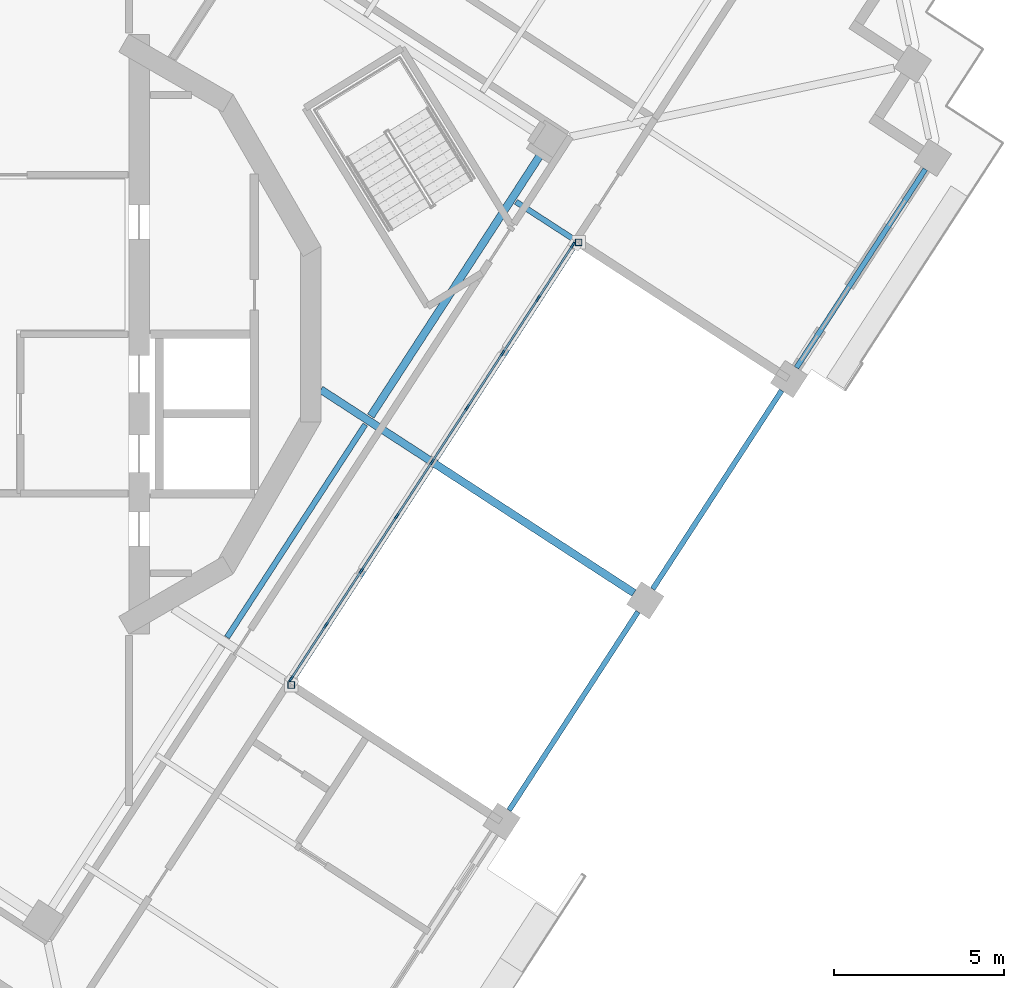
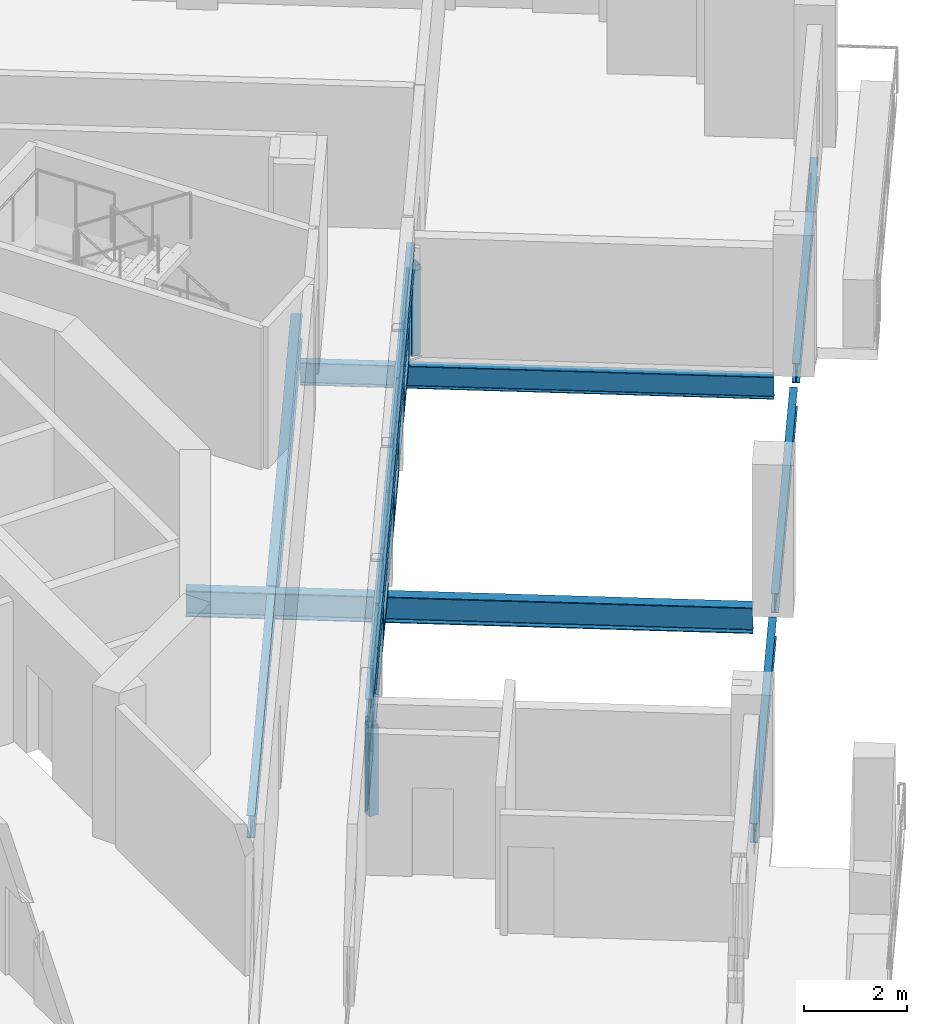
# One storey, part 2 of 17: 35 members, 8 beams, 1 element without a shape of its own.
"""IFC4 building model written with IfcOpenShell, lengths in metres."""

from ifc_helpers import new_model, si_unit, direction, frame, origin, origin_2d, place, context, subcontext, project, spatial, rectangle, hollow_rectangle, i_section, extrude, material, material_profile, profile_set, type_object, element, aggregate, save


model = new_model("IFC4")

# Units and contexts
model_context = context("Model", 3, precision=1e-05, world=origin(), true_north=direction((0.0, 1.0)))
body_context = subcontext(model_context, "Body", "Model", "MODEL_VIEW")
ifc_project = project(units=[si_unit("LENGTHUNIT", "METRE"), si_unit("AREAUNIT", "SQUARE_METRE"), si_unit("VOLUMEUNIT", "CUBIC_METRE"), si_unit("PLANEANGLEUNIT", "RADIAN"), si_unit("MASSUNIT", "GRAM", prefix="KILO")], contexts=[model_context])

# Site, building, storey
site_placement = place(None, origin())
site = spatial("IfcSite", under=ifc_project, at=site_placement, CompositionType="ELEMENT")
building_placement = place(site_placement, origin())
building = spatial("IfcBuilding", under=site, at=building_placement, Name="Cantera Rosa Tower", CompositionType="ELEMENT")
storey_placement = place(building_placement, frame((0.0, 0.0, 268.5)))
storey = spatial("IfcBuildingStorey", under=building, at=storey_placement, Name="L60", CompositionType="ELEMENT", Elevation=268.5)

# Curtain wall, members
ifc_material_1 = material(Name="Aluminium frame with clear glass", Category="aluminium")
curtain_wall_type = type_object("IfcCurtainWallType", Name="CW1 TERRACE POCKET GLAZING", PredefinedType="NOTDEFINED", material=ifc_material_1)
curtain_wall_placement = place(storey_placement, origin())
curtain_wall = element("IfcCurtainWall", 1, at=curtain_wall_placement, inside=storey, type_object=curtain_wall_type, Name="CW1 CW1", PredefinedType="NOTDEFINED")
ifc_material_2 = material(Name="Anodised bronze aluminium", Category="aluminium")
ifc_material_profile_1 = material_profile(ifc_material_2, rectangle(XDim=0.06005859375, YDim=0.179931640625, at=origin_2d()), Name="CW-MULLION 60x180 POCKET")
ifc_profile_set_1 = profile_set([ifc_material_profile_1], Name="Anodised bronze aluminium")
member_type_1 = type_object("IfcMemberType", Name="CW-MULLION 60x180 POCKET", PredefinedType="MULLION", material=ifc_profile_set_1)
member_1_placement = place(storey_placement, frame((8.78466796875, -10.158203125, 0.0), z_axis=(0.0, 0.0, 1.0), x_axis=(-0.838670567945, 0.544639035015, 0.0)))
member_1 = element("IfcMember", 2, at=member_1_placement, type_object=member_type_1, Name="CW1 mullion 1", PredefinedType="MULLION", context=body_context, shape_type="SweptSolid", body=[
    extrude(rectangle(XDim=0.06005859375, YDim=0.179931640625, at=origin_2d()), origin(), (0.0, 0.0, 1.0), 2.1279296875),
])
member_2_placement = place(storey_placement, frame((9.810546875, -8.578369140625, 0.0), z_axis=(0.0, 0.0, 1.0), x_axis=(-0.838670567945, 0.544639035015, 0.0)))
member_2 = element("IfcMember", 3, at=member_2_placement, type_object=member_type_1, Name="CW1 mullion 2", PredefinedType="MULLION", context=body_context, shape_type="SweptSolid", body=[
    extrude(rectangle(XDim=0.06005859375, YDim=0.179931640625, at=origin_2d()), origin(), (0.0, 0.0, 1.0), 2.1279296875),
])
member_3_placement = place(storey_placement, frame((10.852783203125, -6.973388671875, 0.0), z_axis=(0.0, 0.0, 1.0), x_axis=(-0.838670567945, 0.544639035015, 0.0)))
member_3 = element("IfcMember", 4, at=member_3_placement, type_object=member_type_1, Name="CW1 mullion 3", PredefinedType="MULLION", context=body_context, shape_type="SweptSolid", body=[
    extrude(rectangle(XDim=0.06005859375, YDim=0.179931640625, at=origin_2d()), origin(), (0.0, 0.0, 1.0), 2.1279296875),
])
member_4_placement = place(storey_placement, frame((11.895263671875, -5.368408203125, 0.0), z_axis=(0.0, 0.0, 1.0), x_axis=(-0.838670567945, 0.544639035015, 0.0)))
member_4 = element("IfcMember", 5, at=member_4_placement, type_object=member_type_1, Name="CW1 mullion 4", PredefinedType="MULLION", context=body_context, shape_type="SweptSolid", body=[
    extrude(rectangle(XDim=0.06005859375, YDim=0.179931640625, at=origin_2d()), origin(), (0.0, 0.0, 1.0), 2.1279296875),
])
member_5_placement = place(storey_placement, frame((12.9375, -3.763427734375, 0.0), z_axis=(0.0, 0.0, 1.0), x_axis=(-0.838670567945, 0.544639035015, 0.0)))
member_5 = element("IfcMember", 6, at=member_5_placement, type_object=member_type_1, Name="CW1 mullion 5", PredefinedType="MULLION", context=body_context, shape_type="SweptSolid", body=[
    extrude(rectangle(XDim=0.06005859375, YDim=0.179931640625, at=origin_2d()), origin(), (0.0, 0.0, 1.0), 2.1279296875),
])
member_6_placement = place(storey_placement, frame((13.979736328125, -2.158447265625, 0.0), z_axis=(0.0, 0.0, 1.0), x_axis=(-0.838670567945, 0.544639035015, 0.0)))
member_6 = element("IfcMember", 7, at=member_6_placement, type_object=member_type_1, Name="CW1 mullion 6", PredefinedType="MULLION", context=body_context, shape_type="SweptSolid", body=[
    extrude(rectangle(XDim=0.06005859375, YDim=0.179931640625, at=origin_2d()), origin(), (0.0, 0.0, 1.0), 2.1279296875),
])
member_7_placement = place(storey_placement, frame((15.022216796875, -0.553466796875, 0.0), z_axis=(0.0, 0.0, 1.0), x_axis=(-0.838670567945, 0.544639035015, 0.0)))
member_7 = element("IfcMember", 8, at=member_7_placement, type_object=member_type_1, Name="CW1 mullion 7", PredefinedType="MULLION", context=body_context, shape_type="SweptSolid", body=[
    extrude(rectangle(XDim=0.06005859375, YDim=0.179931640625, at=origin_2d()), origin(), (0.0, 0.0, 1.0), 2.1279296875),
])
member_8_placement = place(storey_placement, frame((16.064453125, 1.051513671875, 0.0), z_axis=(0.0, 0.0, 1.0), x_axis=(-0.838670567945, 0.544639035015, 0.0)))
member_8 = element("IfcMember", 9, at=member_8_placement, type_object=member_type_1, Name="CW1 mullion 8", PredefinedType="MULLION", context=body_context, shape_type="SweptSolid", body=[
    extrude(rectangle(XDim=0.06005859375, YDim=0.179931640625, at=origin_2d()), origin(), (0.0, 0.0, 1.0), 2.1279296875),
])
member_9_placement = place(storey_placement, frame((17.09033203125, 2.63134765625, 0.0), z_axis=(0.0, 0.0, 1.0), x_axis=(-0.838670567945, 0.544639035015, 0.0)))
member_9 = element("IfcMember", 10, at=member_9_placement, type_object=member_type_1, Name="CW1 mullion 9", PredefinedType="MULLION", context=body_context, shape_type="SweptSolid", body=[
    extrude(rectangle(XDim=0.06005859375, YDim=0.179931640625, at=origin_2d()), origin(), (0.0, 0.0, 1.0), 2.1279296875),
])
ifc_material_3 = material(Name="Anodised bronze aluminium", Category="aluminium")
ifc_material_profile_2 = material_profile(ifc_material_3, rectangle(XDim=0.06005859375, YDim=0.139892578125, at=origin_2d()), Name="CW-TRANSOM 60x140 POCKET")
ifc_profile_set_2 = profile_set([ifc_material_profile_2], Name="Anodised bronze aluminium")
member_type_2 = type_object("IfcMemberType", Name="CW-TRANSOM 60x140 POCKET", PredefinedType="USERDEFINED", material=ifc_profile_set_2)
member_10_placement = place(storey_placement, frame((8.801025390625, -10.133056640625, 0.030029296875), z_axis=(0.544588321702, 0.838703499376, 0.0), x_axis=(-0.838703499376, 0.544588321702, 0.0)))
member_10 = element("IfcMember", 11, at=member_10_placement, type_object=member_type_2, Name="CW1 transom 1.1", ObjectType="TRANSOM", PredefinedType="USERDEFINED", context=body_context, shape_type="SweptSolid", body=[
    extrude(rectangle(XDim=0.06005859375, YDim=0.139892578125, at=origin_2d()), origin(), (0.0, 0.0, 1.0), 1.82373046875),
])
member_11_placement = place(storey_placement, frame((8.801025390625, -10.133056640625, 1.06396484375), z_axis=(0.544588321702, 0.838703499376, 0.0), x_axis=(-0.838703499376, 0.544588321702, 0.0)))
member_11 = element("IfcMember", 12, at=member_11_placement, type_object=member_type_2, Name="CW1 transom 1.2", ObjectType="TRANSOM", PredefinedType="USERDEFINED", context=body_context, shape_type="SweptSolid", body=[
    extrude(rectangle(XDim=0.06005859375, YDim=0.139892578125, at=origin_2d()), origin(), (0.0, 0.0, 1.0), 1.82373046875),
])
member_12_placement = place(storey_placement, frame((8.801025390625, -10.133056640625, 2.097900390625), z_axis=(0.544588321702, 0.838703499376, 0.0), x_axis=(-0.838703499376, 0.544588321702, 0.0)))
member_12 = element("IfcMember", 13, at=member_12_placement, type_object=member_type_2, Name="CW1 transom 1.3", ObjectType="TRANSOM", PredefinedType="USERDEFINED", context=body_context, shape_type="SweptSolid", body=[
    extrude(rectangle(XDim=0.06005859375, YDim=0.139892578125, at=origin_2d()), origin(), (0.0, 0.0, 1.0), 1.82373046875),
])
member_13_placement = place(storey_placement, frame((9.826904296875, -8.55322265625, 0.030029296875), z_axis=(0.544692059849, 0.838636130832, 0.0), x_axis=(-0.838636130832, 0.544692059849, 0.0)))
member_13 = element("IfcMember", 14, at=member_13_placement, type_object=member_type_2, Name="CW1 transom 2.1", ObjectType="TRANSOM", PredefinedType="USERDEFINED", context=body_context, shape_type="SweptSolid", body=[
    extrude(rectangle(XDim=0.06005859375, YDim=0.139892578125, at=origin_2d()), origin(), (0.0, 0.0, 1.0), 1.853759765625),
])
member_14_placement = place(storey_placement, frame((9.826904296875, -8.55322265625, 1.06396484375), z_axis=(0.544692059849, 0.838636130832, 0.0), x_axis=(-0.838636130832, 0.544692059849, 0.0)))
member_14 = element("IfcMember", 15, at=member_14_placement, type_object=member_type_2, Name="CW1 transom 2.2", ObjectType="TRANSOM", PredefinedType="USERDEFINED", context=body_context, shape_type="SweptSolid", body=[
    extrude(rectangle(XDim=0.06005859375, YDim=0.139892578125, at=origin_2d()), origin(), (0.0, 0.0, 1.0), 1.853759765625),
])
member_15_placement = place(storey_placement, frame((9.826904296875, -8.55322265625, 2.097900390625), z_axis=(0.544692059849, 0.838636130832, 0.0), x_axis=(-0.838636130832, 0.544692059849, 0.0)))
member_15 = element("IfcMember", 16, at=member_15_placement, type_object=member_type_2, Name="CW1 transom 2.3", ObjectType="TRANSOM", PredefinedType="USERDEFINED", context=body_context, shape_type="SweptSolid", body=[
    extrude(rectangle(XDim=0.06005859375, YDim=0.139892578125, at=origin_2d()), origin(), (0.0, 0.0, 1.0), 1.853759765625),
])
member_16_placement = place(storey_placement, frame((10.869140625, -6.9482421875, 0.030029296875), z_axis=(0.544692059849, 0.838636130832, 0.0), x_axis=(-0.838636130832, 0.544692059849, 0.0)))
member_16 = element("IfcMember", 17, at=member_16_placement, type_object=member_type_2, Name="CW1 transom 3.1", ObjectType="TRANSOM", PredefinedType="USERDEFINED", context=body_context, shape_type="SweptSolid", body=[
    extrude(rectangle(XDim=0.06005859375, YDim=0.139892578125, at=origin_2d()), origin(), (0.0, 0.0, 1.0), 1.853759765625),
])
member_17_placement = place(storey_placement, frame((10.869140625, -6.9482421875, 1.06396484375), z_axis=(0.544692059849, 0.838636130832, 0.0), x_axis=(-0.838636130832, 0.544692059849, 0.0)))
member_17 = element("IfcMember", 18, at=member_17_placement, type_object=member_type_2, Name="CW1 transom 3.2", ObjectType="TRANSOM", PredefinedType="USERDEFINED", context=body_context, shape_type="SweptSolid", body=[
    extrude(rectangle(XDim=0.06005859375, YDim=0.139892578125, at=origin_2d()), origin(), (0.0, 0.0, 1.0), 1.853759765625),
])
member_18_placement = place(storey_placement, frame((10.869140625, -6.9482421875, 2.097900390625), z_axis=(0.544692059849, 0.838636130832, 0.0), x_axis=(-0.838636130832, 0.544692059849, 0.0)))
member_18 = element("IfcMember", 19, at=member_18_placement, type_object=member_type_2, Name="CW1 transom 3.3", ObjectType="TRANSOM", PredefinedType="USERDEFINED", context=body_context, shape_type="SweptSolid", body=[
    extrude(rectangle(XDim=0.06005859375, YDim=0.139892578125, at=origin_2d()), origin(), (0.0, 0.0, 1.0), 1.853759765625),
])
member_19_placement = place(storey_placement, frame((11.91162109375, -5.34326171875, 0.030029296875), z_axis=(0.544599427137, 0.838696288273, 0.0), x_axis=(-0.838696288273, 0.544599427137, 0.0)))
member_19 = element("IfcMember", 20, at=member_19_placement, type_object=member_type_2, Name="CW1 transom 4.1", ObjectType="TRANSOM", PredefinedType="USERDEFINED", context=body_context, shape_type="SweptSolid", body=[
    extrude(rectangle(XDim=0.06005859375, YDim=0.139892578125, at=origin_2d()), origin(), (0.0, 0.0, 1.0), 1.853759765625),
])
member_20_placement = place(storey_placement, frame((11.91162109375, -5.34326171875, 1.06396484375), z_axis=(0.544599427137, 0.838696288273, 0.0), x_axis=(-0.838696288273, 0.544599427137, 0.0)))
member_20 = element("IfcMember", 21, at=member_20_placement, type_object=member_type_2, Name="CW1 transom 4.2", ObjectType="TRANSOM", PredefinedType="USERDEFINED", context=body_context, shape_type="SweptSolid", body=[
    extrude(rectangle(XDim=0.06005859375, YDim=0.139892578125, at=origin_2d()), origin(), (0.0, 0.0, 1.0), 1.853759765625),
])
member_21_placement = place(storey_placement, frame((11.91162109375, -5.34326171875, 2.097900390625), z_axis=(0.544599427137, 0.838696288273, 0.0), x_axis=(-0.838696288273, 0.544599427137, 0.0)))
member_21 = element("IfcMember", 22, at=member_21_placement, type_object=member_type_2, Name="CW1 transom 4.3", ObjectType="TRANSOM", PredefinedType="USERDEFINED", context=body_context, shape_type="SweptSolid", body=[
    extrude(rectangle(XDim=0.06005859375, YDim=0.139892578125, at=origin_2d()), origin(), (0.0, 0.0, 1.0), 1.853759765625),
])
member_22_placement = place(storey_placement, frame((12.953857421875, -3.73828125, 0.030029296875), z_axis=(0.544599427137, 0.838696288273, 0.0), x_axis=(-0.838696288273, 0.544599427137, 0.0)))
member_22 = element("IfcMember", 23, at=member_22_placement, type_object=member_type_2, Name="CW1 transom 5.1", ObjectType="TRANSOM", PredefinedType="USERDEFINED", context=body_context, shape_type="SweptSolid", body=[
    extrude(rectangle(XDim=0.06005859375, YDim=0.139892578125, at=origin_2d()), origin(), (0.0, 0.0, 1.0), 1.853759765625),
])
member_23_placement = place(storey_placement, frame((12.953857421875, -3.73828125, 1.06396484375), z_axis=(0.544599427137, 0.838696288273, 0.0), x_axis=(-0.838696288273, 0.544599427137, 0.0)))
member_23 = element("IfcMember", 24, at=member_23_placement, type_object=member_type_2, Name="CW1 transom 5.2", ObjectType="TRANSOM", PredefinedType="USERDEFINED", context=body_context, shape_type="SweptSolid", body=[
    extrude(rectangle(XDim=0.06005859375, YDim=0.139892578125, at=origin_2d()), origin(), (0.0, 0.0, 1.0), 1.853759765625),
])
member_24_placement = place(storey_placement, frame((12.953857421875, -3.73828125, 2.097900390625), z_axis=(0.544599427137, 0.838696288273, 0.0), x_axis=(-0.838696288273, 0.544599427137, 0.0)))
member_24 = element("IfcMember", 25, at=member_24_placement, type_object=member_type_2, Name="CW1 transom 5.3", ObjectType="TRANSOM", PredefinedType="USERDEFINED", context=body_context, shape_type="SweptSolid", body=[
    extrude(rectangle(XDim=0.06005859375, YDim=0.139892578125, at=origin_2d()), origin(), (0.0, 0.0, 1.0), 1.853759765625),
])
member_25_placement = place(storey_placement, frame((13.99609375, -2.13330078125, 0.030029296875), z_axis=(0.544692059849, 0.838636130832, 0.0), x_axis=(-0.838636130832, 0.544692059849, 0.0)))
member_25 = element("IfcMember", 26, at=member_25_placement, type_object=member_type_2, Name="CW1 transom 6.1", ObjectType="TRANSOM", PredefinedType="USERDEFINED", context=body_context, shape_type="SweptSolid", body=[
    extrude(rectangle(XDim=0.06005859375, YDim=0.139892578125, at=origin_2d()), origin(), (0.0, 0.0, 1.0), 1.853759765625),
])
member_26_placement = place(storey_placement, frame((13.99609375, -2.13330078125, 1.06396484375), z_axis=(0.544692059849, 0.838636130832, 0.0), x_axis=(-0.838636130832, 0.544692059849, 0.0)))
member_26 = element("IfcMember", 27, at=member_26_placement, type_object=member_type_2, Name="CW1 transom 6.2", ObjectType="TRANSOM", PredefinedType="USERDEFINED", context=body_context, shape_type="SweptSolid", body=[
    extrude(rectangle(XDim=0.06005859375, YDim=0.139892578125, at=origin_2d()), origin(), (0.0, 0.0, 1.0), 1.853759765625),
])
member_27_placement = place(storey_placement, frame((13.99609375, -2.13330078125, 2.097900390625), z_axis=(0.544692059849, 0.838636130832, 0.0), x_axis=(-0.838636130832, 0.544692059849, 0.0)))
member_27 = element("IfcMember", 28, at=member_27_placement, type_object=member_type_2, Name="CW1 transom 6.3", ObjectType="TRANSOM", PredefinedType="USERDEFINED", context=body_context, shape_type="SweptSolid", body=[
    extrude(rectangle(XDim=0.06005859375, YDim=0.139892578125, at=origin_2d()), origin(), (0.0, 0.0, 1.0), 1.853759765625),
])
member_28_placement = place(storey_placement, frame((15.038330078125, -0.5283203125, 0.030029296875), z_axis=(0.544692059849, 0.838636130832, 0.0), x_axis=(-0.838636130832, 0.544692059849, 0.0)))
member_28 = element("IfcMember", 29, at=member_28_placement, type_object=member_type_2, Name="CW1 transom 7.1", ObjectType="TRANSOM", PredefinedType="USERDEFINED", context=body_context, shape_type="SweptSolid", body=[
    extrude(rectangle(XDim=0.06005859375, YDim=0.139892578125, at=origin_2d()), origin(), (0.0, 0.0, 1.0), 1.853759765625),
])
member_29_placement = place(storey_placement, frame((15.038330078125, -0.5283203125, 1.06396484375), z_axis=(0.544692059849, 0.838636130832, 0.0), x_axis=(-0.838636130832, 0.544692059849, 0.0)))
member_29 = element("IfcMember", 30, at=member_29_placement, type_object=member_type_2, Name="CW1 transom 7.2", ObjectType="TRANSOM", PredefinedType="USERDEFINED", context=body_context, shape_type="SweptSolid", body=[
    extrude(rectangle(XDim=0.06005859375, YDim=0.139892578125, at=origin_2d()), origin(), (0.0, 0.0, 1.0), 1.853759765625),
])
member_30_placement = place(storey_placement, frame((15.038330078125, -0.5283203125, 2.097900390625), z_axis=(0.544692059849, 0.838636130832, 0.0), x_axis=(-0.838636130832, 0.544692059849, 0.0)))
member_30 = element("IfcMember", 31, at=member_30_placement, type_object=member_type_2, Name="CW1 transom 7.3", ObjectType="TRANSOM", PredefinedType="USERDEFINED", context=body_context, shape_type="SweptSolid", body=[
    extrude(rectangle(XDim=0.06005859375, YDim=0.139892578125, at=origin_2d()), origin(), (0.0, 0.0, 1.0), 1.853759765625),
])
member_31_placement = place(storey_placement, frame((16.080810546875, 1.07666015625, 0.030029296875), z_axis=(0.544588321702, 0.838703499376, 0.0), x_axis=(-0.838703499376, 0.544588321702, 0.0)))
member_31 = element("IfcMember", 32, at=member_31_placement, type_object=member_type_2, Name="CW1 transom 8.1", ObjectType="TRANSOM", PredefinedType="USERDEFINED", context=body_context, shape_type="SweptSolid", body=[
    extrude(rectangle(XDim=0.06005859375, YDim=0.139892578125, at=origin_2d()), origin(), (0.0, 0.0, 1.0), 1.82373046875),
])
member_32_placement = place(storey_placement, frame((16.080810546875, 1.07666015625, 1.06396484375), z_axis=(0.544588321702, 0.838703499376, 0.0), x_axis=(-0.838703499376, 0.544588321702, 0.0)))
member_32 = element("IfcMember", 33, at=member_32_placement, type_object=member_type_2, Name="CW1 transom 8.2", ObjectType="TRANSOM", PredefinedType="USERDEFINED", context=body_context, shape_type="SweptSolid", body=[
    extrude(rectangle(XDim=0.06005859375, YDim=0.139892578125, at=origin_2d()), origin(), (0.0, 0.0, 1.0), 1.82373046875),
])
member_33_placement = place(storey_placement, frame((16.080810546875, 1.07666015625, 2.097900390625), z_axis=(0.544588321702, 0.838703499376, 0.0), x_axis=(-0.838703499376, 0.544588321702, 0.0)))
member_33 = element("IfcMember", 34, at=member_33_placement, type_object=member_type_2, Name="CW1 transom 8.3", ObjectType="TRANSOM", PredefinedType="USERDEFINED", context=body_context, shape_type="SweptSolid", body=[
    extrude(rectangle(XDim=0.06005859375, YDim=0.139892578125, at=origin_2d()), origin(), (0.0, 0.0, 1.0), 1.82373046875),
])
aggregate(curtain_wall, [member_1, member_2, member_3, member_4, member_5, member_6, member_7, member_8, member_9, member_10, member_11, member_12, member_13, member_14, member_15, member_16, member_17, member_18, member_19, member_20, member_21, member_22, member_23, member_24, member_25, member_26, member_27, member_28, member_29, member_30, member_31, member_32, member_33])

# Members
ifc_material_4 = material(Name="Steel ASTM A992 (Fy 345 MPa)", Category="steel")
ifc_material_profile_3 = material_profile(ifc_material_4, hollow_rectangle(XDim=0.199951171875, YDim=0.199951171875, WallThickness=0.010009765625, at=origin_2d()), Name="LINTEL POST RHS 200x200x10")
ifc_profile_set_3 = profile_set([ifc_material_profile_3], Name="Steel ASTM A992 (Fy 345 MPa)")
member_type_3 = type_object("IfcMemberType", Name="LINTEL POST RHS 200x200x10", PredefinedType="USERDEFINED", material=ifc_profile_set_3)
for number, where, z_axis, x_axis, name in (
    (35, (8.7841796875, -10.3427734375, 0.0), (0.0, 0.0, 1.0), (1.0, 0.0, 0.0), "LINTEL POST L60-1"),
    (36, (17.2587890625, 2.70703125, 0.0), (0.0, 0.0, 1.0), (1.0, 0.0, 0.0), "LINTEL POST L60-2"),
):
    element("IfcMember", number, at=place(storey_placement, frame(where, z_axis=z_axis, x_axis=x_axis)), inside=storey, type_object=member_type_3, Name=name, ObjectType="LINTEL POST", PredefinedType="USERDEFINED", context=body_context, shape_type="SweptSolid", body=[
        extrude(hollow_rectangle(XDim=0.199951171875, YDim=0.199951171875, WallThickness=0.010009765625, at=origin_2d()), origin(), (0.0, 0.0, 1.0), 2.1298828125),
    ])

# Beams
ifc_material_5 = material(Name="Steel ASTM A992 (Fy 345 MPa)", Category="steel")
ifc_material_profile_4 = material_profile(ifc_material_5, i_section(OverallWidth=0.166015625, OverallDepth=0.528076171875, WebThickness=0.009765625, FlangeThickness=0.013671875, FilletRadius=0.0126953125, at=origin_2d()), Name="W530X74")
ifc_profile_set_4 = profile_set([ifc_material_profile_4], Name="Steel ASTM A992 (Fy 345 MPa)")
beam_type_1 = type_object("IfcBeamType", Name="STEEL BEAM W530X74", PredefinedType="BEAM", material=ifc_profile_set_4)
beam_1_placement = place(storey_placement, frame((23.12939453125, -1.10546875, -0.513916015625), z_axis=(-0.838669083999, 0.544641320086, 0.0), x_axis=(-0.544641320086, -0.838669083999, 0.0)))
element("IfcBeam", 37, at=beam_1_placement, inside=storey, type_object=beam_type_1, Name="G-Z5-11 L60", PredefinedType="BEAM", context=body_context, shape_type="SweptSolid", body=[
    extrude(i_section(OverallWidth=0.166015625, OverallDepth=0.528076171875, WebThickness=0.009765625, FlangeThickness=0.013671875, FilletRadius=0.0126953125, at=origin_2d()), origin(), (0.0, 0.0, 1.0), 9.2001953125),
])
beam_2_placement = place(storey_placement, frame((6.894775390625, -8.93701171875, -0.513916015625), z_axis=(0.544649868382, 0.838663532575, 0.0), x_axis=(-0.838663532575, 0.544649868382, 0.0)))
element("IfcBeam", 38, at=beam_2_placement, inside=storey, type_object=beam_type_1, Name="RB-Z5-05 L60", PredefinedType="BEAM", context=body_context, shape_type="SweptSolid", body=[
    extrude(i_section(OverallWidth=0.166015625, OverallDepth=0.528076171875, WebThickness=0.009765625, FlangeThickness=0.013671875, FilletRadius=0.0126953125, at=origin_2d()), origin(), (0.0, 0.0, 1.0), 7.47998046875),
])
beam_3_placement = place(storey_placement, frame((8.769287109375, -10.273681640625, 2.39404296875), z_axis=(0.544634726861, 0.838673365678, 0.0), x_axis=(-0.838673365678, 0.544634726861, 0.0)))
element("IfcBeam", 39, at=beam_3_placement, inside=storey, type_object=beam_type_1, Name="LINTEL SL-L60", PredefinedType="BEAM", context=body_context, shape_type="SweptSolid", body=[
    extrude(i_section(OverallWidth=0.166015625, OverallDepth=0.528076171875, WebThickness=0.009765625, FlangeThickness=0.013671875, FilletRadius=0.0126953125, at=origin_2d()), origin(), (0.0, 0.0, 1.0), 15.460205078125),
])
ifc_material_6 = material(Name="Steel ASTM A992 (Fy 345 MPa)", Category="steel")
ifc_material_profile_5 = material_profile(ifc_material_6, i_section(OverallWidth=0.22802734375, OverallDepth=0.60205078125, WebThickness=0.010498046875, FlangeThickness=0.014892578125, FilletRadius=0.0126953125, at=origin_2d()), Name="W610X101")
ifc_profile_set_5 = profile_set([ifc_material_profile_5], Name="Steel ASTM A992 (Fy 345 MPa)")
beam_type_2 = type_object("IfcBeamType", Name="STEEL BEAM W610X101", PredefinedType="BEAM", material=ifc_profile_set_5)
beam_4_placement = place(storey_placement, frame((11.132080078125, -2.412109375, -0.551025390625), z_axis=(0.54463982867, 0.838670052539, 0.0), x_axis=(-0.838670052539, 0.54463982867, 0.0)))
element("IfcBeam", 40, at=beam_4_placement, inside=storey, type_object=beam_type_2, Name="RB-Z5-06 L60", PredefinedType="BEAM", context=body_context, shape_type="SweptSolid", body=[
    extrude(i_section(OverallWidth=0.22802734375, OverallDepth=0.60205078125, WebThickness=0.010498046875, FlangeThickness=0.014892578125, FilletRadius=0.0126953125, at=origin_2d()), origin(), (0.0, 0.0, 1.0), 9.2099609375),
])
ifc_material_7 = material(Name="Steel ASTM A992 (Fy 345 MPa)", Category="steel")
ifc_material_profile_6 = material_profile(ifc_material_7, i_section(OverallWidth=0.22900390625, OverallDepth=0.612060546875, WebThickness=0.011962890625, FlangeThickness=0.01953125, FilletRadius=0.0126953125, at=origin_2d()), Name="W610X125")
ifc_profile_set_6 = profile_set([ifc_material_profile_6], Name="Steel ASTM A992 (Fy 345 MPa)")
beam_type_3 = type_object("IfcBeamType", Name="STEEL BEAM W610X125", PredefinedType="BEAM", material=ifc_profile_set_6)
beam_5_placement = place(storey_placement, frame((18.89208984375, -7.63037109375, -0.555908203125), z_axis=(-0.838673569952, 0.544634412302, 0.0), x_axis=(-0.544634412302, -0.838673569952, 0.0)))
element("IfcBeam", 41, at=beam_5_placement, inside=storey, type_object=beam_type_3, Name="G-Z5-10 L60", PredefinedType="BEAM", context=body_context, shape_type="SweptSolid", body=[
    extrude(i_section(OverallWidth=0.22900390625, OverallDepth=0.612060546875, WebThickness=0.011962890625, FlangeThickness=0.01953125, FilletRadius=0.0126953125, at=origin_2d()), origin(), (0.0, 0.0, 1.0), 11.009033203125),
])
ifc_material_8 = material(Name="Steel ASTM A992 (Fy 345 MPa)", Category="steel")
ifc_material_profile_7 = material_profile(ifc_material_8, i_section(OverallWidth=0.154052734375, OverallDepth=0.4599609375, WebThickness=0.009033203125, FlangeThickness=0.015380859375, FilletRadius=0.01025390625, at=origin_2d()), Name="W460X68")
ifc_profile_set_7 = profile_set([ifc_material_profile_7], Name="Steel ASTM A992 (Fy 345 MPa)")
beam_type_4 = type_object("IfcBeamType", Name="STEEL SPANDREL BEAM W460X68", PredefinedType="SPANDREL", material=ifc_profile_set_7)
beam_6_placement = place(storey_placement, frame((15.2080078125, -14.03759765625, -0.47998046875), z_axis=(0.544651451949, 0.838662504164, 0.0), x_axis=(-0.838662504164, 0.544651451949, 0.0)))
element("IfcBeam", 42, at=beam_6_placement, inside=storey, type_object=beam_type_4, Name="EB-Z5-22 L60", PredefinedType="SPANDREL", context=body_context, shape_type="SweptSolid", body=[
    extrude(i_section(OverallWidth=0.154052734375, OverallDepth=0.4599609375, WebThickness=0.009033203125, FlangeThickness=0.015380859375, FilletRadius=0.01025390625, at=origin_2d()), origin(), (0.0, 0.0, 1.0), 6.980224609375),
])
for number, where, z_axis, x_axis, name in (
    (43, (19.4453125, -7.5126953125, -0.47998046875), (0.544667428764, 0.838652128146, 0.0), (-0.838652128146, 0.544667428764, 0.0), "EB-Z5-23 L60"),
    (44, (23.6826171875, -0.98779296875, -0.47998046875), (0.544667428764, 0.838652128146, 0.0), (-0.838652128146, 0.544667428764, 0.0), "EB-Z5-24 L60"),
):
    element("IfcBeam", number, at=place(storey_placement, frame(where, z_axis=z_axis, x_axis=x_axis)), inside=storey, type_object=beam_type_4, Name=name, PredefinedType="SPANDREL", context=body_context, shape_type="SweptSolid", body=[
        extrude(i_section(OverallWidth=0.154052734375, OverallDepth=0.4599609375, WebThickness=0.009033203125, FlangeThickness=0.015380859375, FilletRadius=0.01025390625, at=origin_2d()), origin(), (0.0, 0.0, 1.0), 6.97998046875),
    ])

save(model, "model.ifc")
